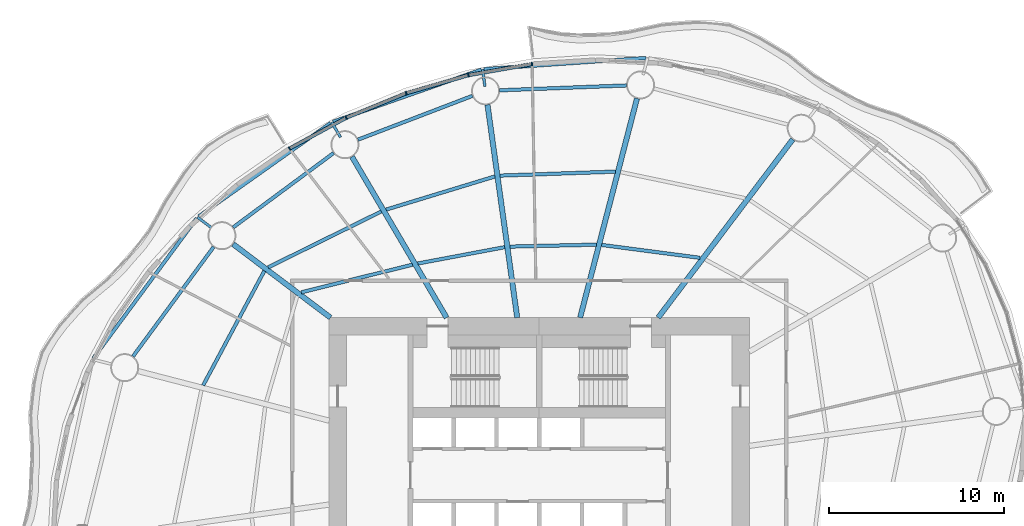
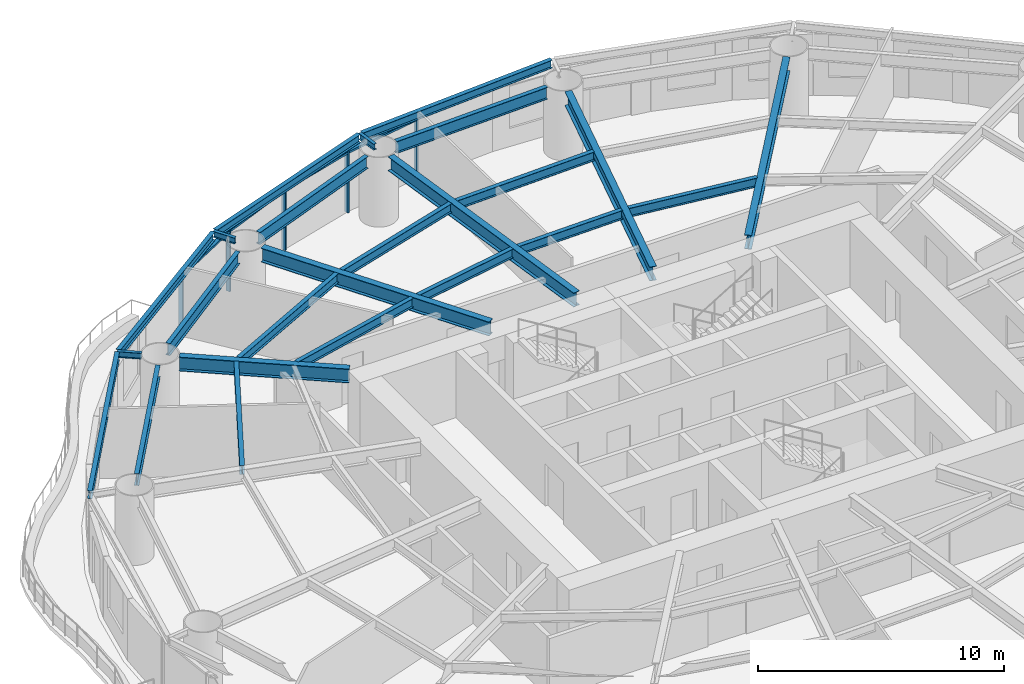
# One storey, part 5 of 16: 24 beams, 9 members, 4 elements without a shape of their own.
"""IFC4 building model written with IfcOpenShell, lengths in metres."""

from ifc_helpers import new_model, si_unit, direction, frame, origin, origin_2d, place, context, subcontext, project, spatial, rectangle, i_section, extrude, material, material_profile, profile_set, type_object, element, aggregate, save


model = new_model("IFC4")

# Units and contexts
model_context = context("Model", 3, precision=1e-05, world=origin(), true_north=direction((0.0, 1.0)))
body_context = subcontext(model_context, "Body", "Model", "MODEL_VIEW")
ifc_project = project(units=[si_unit("LENGTHUNIT", "METRE"), si_unit("AREAUNIT", "SQUARE_METRE"), si_unit("VOLUMEUNIT", "CUBIC_METRE"), si_unit("PLANEANGLEUNIT", "RADIAN"), si_unit("MASSUNIT", "GRAM", prefix="KILO")], contexts=[model_context])

# Site, building, storey
site_placement = place(None, origin())
site = spatial("IfcSite", under=ifc_project, at=site_placement, CompositionType="ELEMENT")
building_placement = place(site_placement, origin())
building = spatial("IfcBuilding", under=site, at=building_placement, Name="Vermilion Reach Broadcast Tower", CompositionType="ELEMENT")
storey_placement = place(building_placement, frame((0.0, 0.0, 110.199951171875)))
storey = spatial("IfcBuildingStorey", under=building, at=storey_placement, Name="L25", CompositionType="ELEMENT", Elevation=110.199951171875)

# Beams
ifc_material_1 = material(Name="Steel S355J2", Category="steel")
ifc_material_profile_1 = material_profile(ifc_material_1, i_section(OverallWidth=0.199951171875, OverallDepth=0.39990234375, WebThickness=0.008056640625, FlangeThickness=0.012939453125, at=origin_2d()), Name="S355J2 HN 400x200x8x13")
ifc_profile_set_1 = profile_set([ifc_material_profile_1], Name="Steel S355J2")
beam_type_1 = type_object("IfcBeamType", Name="EB2 HN 400x200x8x13", PredefinedType="BEAM", material=ifc_profile_set_1)
beam_1_placement = place(storey_placement, frame((0.1083984375, 23.833251953125, 3.25), z_axis=(-0.997645041067, -0.068588424936, 0.0), x_axis=(0.068588424936, -0.997645041067, 0.0)))
element("IfcBeam", 1, at=beam_1_placement, inside=storey, type_object=beam_type_1, Name="Edge beam EB2-03", PredefinedType="BEAM", context=body_context, shape_type="SweptSolid", body=[
    extrude(i_section(OverallWidth=0.199951171875, OverallDepth=0.39990234375, WebThickness=0.008056640625, FlangeThickness=0.012939453125, at=origin_2d()), origin(), (0.0, 0.0, 1.0), 9.2939453125),
])
beam_2_placement = place(storey_placement, frame((-9.310791015625, 23.165283203125, 3.25), z_axis=(-0.943404272903, -0.331644957551, 0.0), x_axis=(0.331644957551, -0.943404272903, 0.0)))
element("IfcBeam", 2, at=beam_2_placement, inside=storey, type_object=beam_type_1, Name="Edge beam EB2-04", PredefinedType="BEAM", context=body_context, shape_type="SweptSolid", body=[
    extrude(i_section(OverallWidth=0.199951171875, OverallDepth=0.39990234375, WebThickness=0.008056640625, FlangeThickness=0.012939453125, at=origin_2d()), origin(), (0.0, 0.0, 1.0), 8.97802734375),
])
beam_3_placement = place(storey_placement, frame((-17.914306640625, 20.118896484375, 3.25), z_axis=(-0.816232679245, -0.577723301704, 0.0), x_axis=(0.577723301704, -0.816232679245, 0.0)))
element("IfcBeam", 3, at=beam_3_placement, inside=storey, type_object=beam_type_1, Name="Edge beam EB2-05", PredefinedType="BEAM", context=body_context, shape_type="SweptSolid", body=[
    extrude(i_section(OverallWidth=0.199951171875, OverallDepth=0.39990234375, WebThickness=0.008056640625, FlangeThickness=0.012939453125, at=origin_2d()), origin(), (0.0, 0.0, 1.0), 9.239013671875),
])
beam_4_placement = place(storey_placement, frame((-25.564208984375, 14.675537109375, 3.25), z_axis=(-0.594274254035, -0.804262463995, 0.0), x_axis=(0.804262463995, -0.594274254035, 0.0)))
element("IfcBeam", 4, at=beam_4_placement, inside=storey, type_object=beam_type_1, Name="Edge beam EB2-06", PredefinedType="BEAM", context=body_context, shape_type="SweptSolid", body=[
    extrude(i_section(OverallWidth=0.199951171875, OverallDepth=0.39990234375, WebThickness=0.008056640625, FlangeThickness=0.012939453125, at=origin_2d()), origin(), (0.0, 0.0, 1.0), 9.932373046875),
])
ifc_material_2 = material(Name="Steel S355J2", Category="steel")
ifc_material_profile_2 = material_profile(ifc_material_2, i_section(OverallWidth=0.300048828125, OverallDepth=0.699951171875, WebThickness=0.012939453125, FlangeThickness=0.02392578125, at=origin_2d()), Name="S355J2 HN 700x300x13x24")
ifc_profile_set_2 = profile_set([ifc_material_profile_2], Name="Steel S355J2")
beam_type_2 = type_object("IfcBeamType", Name="G2 HN 700x300x13x24", PredefinedType="BEAM", material=ifc_profile_set_2)
beam_5_placement = place(storey_placement, frame((0.794189453125, 9.0, 3.10009765625), z_axis=(0.602519842365, 0.798103902733, 0.0), x_axis=(-0.798103902733, 0.602519842365, 0.0)))
element("IfcBeam", 5, at=beam_5_placement, inside=storey, type_object=beam_type_2, Name="Girder G2-02", PredefinedType="BEAM", context=body_context, shape_type="SweptSolid", body=[
    extrude(i_section(OverallWidth=0.300048828125, OverallDepth=0.699951171875, WebThickness=0.012939453125, FlangeThickness=0.02392578125, at=origin_2d()), origin(), (0.0, 0.0, 1.0), 12.758544921875),
])
beam_6_placement = place(storey_placement, frame((-3.6640625, 9.0, 3.10009765625), z_axis=(0.25121695316, 0.967930804575, 0.0), x_axis=(-0.967930804575, 0.25121695316, 0.0)))
element("IfcBeam", 6, at=beam_6_placement, inside=storey, type_object=beam_type_2, Name="Girder G2-03", PredefinedType="BEAM", context=body_context, shape_type="SweptSolid", body=[
    extrude(i_section(OverallWidth=0.300048828125, OverallDepth=0.699951171875, WebThickness=0.012939453125, FlangeThickness=0.02392578125, at=origin_2d()), origin(), (0.0, 0.0, 1.0), 12.93505859375),
])
beam_7_placement = place(storey_placement, frame((-7.2568359375, 9.0, 3.10009765625), z_axis=(-0.138317561234, 0.990387930184, 0.0), x_axis=(-0.990387930184, -0.138317561234, 0.0)))
element("IfcBeam", 7, at=beam_7_placement, inside=storey, type_object=beam_type_2, Name="Girder G2-04", PredefinedType="BEAM", context=body_context, shape_type="SweptSolid", body=[
    extrude(i_section(OverallWidth=0.300048828125, OverallDepth=0.699951171875, WebThickness=0.012939453125, FlangeThickness=0.02392578125, at=origin_2d()), origin(), (0.0, 0.0, 1.0), 12.281494140625),
])
beam_8_placement = place(storey_placement, frame((-11.290771484375, 9.0, 3.10009765625), z_axis=(-0.506783943634, 0.862073102744, 0.0), x_axis=(-0.862073102744, -0.506783943634, 0.0)))
element("IfcBeam", 8, at=beam_8_placement, inside=storey, type_object=beam_type_2, Name="Girder G2-05", PredefinedType="BEAM", context=body_context, shape_type="SweptSolid", body=[
    extrude(i_section(OverallWidth=0.300048828125, OverallDepth=0.699951171875, WebThickness=0.012939453125, FlangeThickness=0.02392578125, at=origin_2d()), origin(), (0.0, 0.0, 1.0), 10.661865234375),
])
beam_9_placement = place(storey_placement, frame((-17.921630859375, 9.0, 3.10009765625), z_axis=(-0.798113534072, 0.602507084382, 0.0), x_axis=(-0.602507084382, -0.798113534072, 0.0)))
element("IfcBeam", 9, at=beam_9_placement, inside=storey, type_object=beam_type_2, Name="Girder G2-06", PredefinedType="BEAM", context=body_context, shape_type="SweptSolid", body=[
    extrude(i_section(OverallWidth=0.300048828125, OverallDepth=0.699951171875, WebThickness=0.012939453125, FlangeThickness=0.02392578125, at=origin_2d()), origin(), (0.0, 0.0, 1.0), 6.971923828125),
])
ifc_material_3 = material(Name="Steel S355J2", Category="steel")
ifc_material_profile_3 = material_profile(ifc_material_3, i_section(OverallWidth=0.14990234375, OverallDepth=0.300048828125, WebThickness=0.006591796875, FlangeThickness=0.009033203125, at=origin_2d()), Name="S355J2 HN 300x150x6.5x9")
ifc_profile_set_3 = profile_set([ifc_material_profile_3], Name="Steel S355J2")
beam_type_3 = type_object("IfcBeamType", Name="GS2 HN 300x150x6.5x9", PredefinedType="BEAM", material=ifc_profile_set_3)
beam_10_placement = place(storey_placement, frame((-9.100341796875, 22.2001953125, 3.300048828125), z_axis=(-0.138207172315, 0.990403340827, 0.0), x_axis=(-0.990403340827, -0.138207172315, 0.0)))
element("IfcBeam", 10, at=beam_10_placement, inside=storey, type_object=beam_type_3, Name="Cantilever stub GS2-04", PredefinedType="BEAM", context=body_context, shape_type="SweptSolid", body=[
    extrude(i_section(OverallWidth=0.14990234375, OverallDepth=0.300048828125, WebThickness=0.006591796875, FlangeThickness=0.009033203125, at=origin_2d()), origin(), (0.0, 0.0, 1.0), 0.999755859375),
])
for number, where, z_axis, x_axis, name in (
    (11, (-17.34619140625, 19.30029296875, 3.300048828125), (-0.506646610102, 0.862153821816, 0.0), (-0.862153821816, -0.506646610102, 0.0), "Cantilever stub GS2-05"),
    (12, (-24.7216796875, 14.13330078125, 3.300048828125), (-0.798091683473, 0.602536027779, 0.0), (-0.602536027779, -0.798091683473, 0.0), "Cantilever stub GS2-06"),
):
    element("IfcBeam", number, at=place(storey_placement, frame(where, z_axis=z_axis, x_axis=x_axis)), inside=storey, type_object=beam_type_3, Name=name, PredefinedType="BEAM", context=body_context, shape_type="SweptSolid", body=[
        extrude(i_section(OverallWidth=0.14990234375, OverallDepth=0.300048828125, WebThickness=0.006591796875, FlangeThickness=0.009033203125, at=origin_2d()), origin(), (0.0, 0.0, 1.0), 1.0),
    ])
ifc_material_4 = material(Name="Steel S355J2", Category="steel")
ifc_material_profile_4 = material_profile(ifc_material_4, i_section(OverallWidth=0.199951171875, OverallDepth=0.60009765625, WebThickness=0.010986328125, FlangeThickness=0.01708984375, at=origin_2d()), Name="S355J2 HN 600x200x11x17")
ifc_profile_set_4 = profile_set([ifc_material_profile_4], Name="Steel S355J2")
beam_type_4 = type_object("IfcBeamType", Name="RB2 HN 600x200x11x17", PredefinedType="BEAM", material=ifc_profile_set_4)
beam_11_placement = place(storey_placement, frame((-1.012939453125, 22.263916015625, 3.150146484375), z_axis=(-0.999268558327, -0.038240663418, 0.0), x_axis=(0.038240663418, -0.999268558327, 0.0)))
element("IfcBeam", 13, at=beam_11_placement, inside=storey, type_object=beam_type_4, Name="Ring beam RB2-03", PredefinedType="BEAM", context=body_context, shape_type="SweptSolid", body=[
    extrude(i_section(OverallWidth=0.199951171875, OverallDepth=0.60009765625, WebThickness=0.010986328125, FlangeThickness=0.01708984375, at=origin_2d()), origin(), (0.0, 0.0, 1.0), 7.259033203125),
])
beam_12_placement = place(storey_placement, frame((-9.813232421875, 21.669677734375, 3.150146484375), z_axis=(-0.933939237212, -0.357431813353, 0.0), x_axis=(0.357431813353, -0.933939237212, 0.0)))
element("IfcBeam", 14, at=beam_12_placement, inside=storey, type_object=beam_type_4, Name="Ring beam RB2-04", PredefinedType="BEAM", context=body_context, shape_type="SweptSolid", body=[
    extrude(i_section(OverallWidth=0.199951171875, OverallDepth=0.60009765625, WebThickness=0.010986328125, FlangeThickness=0.01708984375, at=origin_2d()), origin(), (0.0, 0.0, 1.0), 7.001953125),
])
beam_13_placement = place(storey_placement, frame((-17.74267578125, 18.4052734375, 3.150146484375), z_axis=(-0.803832742218, -0.594855379515, 0.0), x_axis=(0.594855379515, -0.803832742218, 0.0)))
element("IfcBeam", 15, at=beam_13_placement, inside=storey, type_object=beam_type_4, Name="Ring beam RB2-05", PredefinedType="BEAM", context=body_context, shape_type="SweptSolid", body=[
    extrude(i_section(OverallWidth=0.199951171875, OverallDepth=0.60009765625, WebThickness=0.010986328125, FlangeThickness=0.01708984375, at=origin_2d()), origin(), (0.0, 0.0, 1.0), 7.13916015625),
])
beam_14_placement = place(storey_placement, frame((-24.59912109375, 13.03857421875, 3.150146484375), z_axis=(-0.593250534798, -0.80501788984, 0.0), x_axis=(0.80501788984, -0.593250534798, 0.0)))
element("IfcBeam", 16, at=beam_14_placement, inside=storey, type_object=beam_type_4, Name="Ring beam RB2-06", PredefinedType="BEAM", context=body_context, shape_type="SweptSolid", body=[
    extrude(i_section(OverallWidth=0.199951171875, OverallDepth=0.60009765625, WebThickness=0.010986328125, FlangeThickness=0.01708984375, at=origin_2d()), origin(), (0.0, 0.0, 1.0), 7.76220703125),
])
ifc_material_5 = material(Name="Steel S355J2", Category="steel")
ifc_material_profile_5 = material_profile(ifc_material_5, i_section(OverallWidth=0.199951171875, OverallDepth=0.449951171875, WebThickness=0.009033203125, FlangeThickness=0.013916015625, at=origin_2d()), Name="S355J2 HN 450x200x9x14")
ifc_profile_set_5 = profile_set([ifc_material_profile_5], Name="Steel S355J2")
beam_type_5 = type_object("IfcBeamType", Name="SB2 HN 450x200x9x14", PredefinedType="BEAM", material=ifc_profile_set_5)
beam_15_placement = place(storey_placement, frame((3.185546875, 12.416748046875, 3.22509765625), z_axis=(-0.991498686864, 0.130116693573, 0.0), x_axis=(-0.130116693573, -0.991498686864, 0.0)))
element("IfcBeam", 17, at=beam_15_placement, inside=storey, type_object=beam_type_5, Name="Secondary beam SB2-02-1", PredefinedType="BEAM", context=body_context, shape_type="SweptSolid", body=[
    extrude(i_section(OverallWidth=0.199951171875, OverallDepth=0.449951171875, WebThickness=0.009033203125, FlangeThickness=0.013916015625, at=origin_2d()), origin(), (0.0, 0.0, 1.0), 5.66455078125),
])
beam_16_placement = place(storey_placement, frame((-2.73681640625, 13.169921875, 3.22509765625), z_axis=(-0.999742320425, -0.022700060602, 0.0), x_axis=(0.022700060602, -0.999742320425, 0.0)))
element("IfcBeam", 18, at=beam_16_placement, inside=storey, type_object=beam_type_5, Name="Secondary beam SB2-03-1", PredefinedType="BEAM", context=body_context, shape_type="SweptSolid", body=[
    extrude(i_section(OverallWidth=0.199951171875, OverallDepth=0.449951171875, WebThickness=0.009033203125, FlangeThickness=0.013916015625, at=origin_2d()), origin(), (0.0, 0.0, 1.0), 4.9365234375),
])
beam_17_placement = place(storey_placement, frame((-1.654052734375, 17.34130859375, 3.22509765625), z_axis=(-0.999404722387, -0.03449928797, 0.0), x_axis=(0.03449928797, -0.999404722387, 0.0)))
element("IfcBeam", 19, at=beam_17_placement, inside=storey, type_object=beam_type_5, Name="Secondary beam SB2-03-2", PredefinedType="BEAM", context=body_context, shape_type="SweptSolid", body=[
    extrude(i_section(OverallWidth=0.199951171875, OverallDepth=0.449951171875, WebThickness=0.009033203125, FlangeThickness=0.013916015625, at=origin_2d()), origin(), (0.0, 0.0, 1.0), 6.58837890625),
])
beam_18_placement = place(storey_placement, frame((-7.970703125, 13.026611328125, 3.22509765625), z_axis=(-0.982782890015, -0.184764149915, 0.0), x_axis=(0.184764149915, -0.982782890015, 0.0)))
element("IfcBeam", 20, at=beam_18_placement, inside=storey, type_object=beam_type_5, Name="Secondary beam SB2-04-1", PredefinedType="BEAM", context=body_context, shape_type="SweptSolid", body=[
    extrude(i_section(OverallWidth=0.199951171875, OverallDepth=0.449951171875, WebThickness=0.009033203125, FlangeThickness=0.013916015625, at=origin_2d()), origin(), (0.0, 0.0, 1.0), 5.051513671875),
])
beam_19_placement = place(storey_placement, frame((-8.53466796875, 17.064697265625, 3.22509765625), z_axis=(-0.956596430605, -0.291415972374, 0.0), x_axis=(0.291415972374, -0.956596430605, 0.0)))
element("IfcBeam", 21, at=beam_19_placement, inside=storey, type_object=beam_type_5, Name="Secondary beam SB2-04-2", PredefinedType="BEAM", context=body_context, shape_type="SweptSolid", body=[
    extrude(i_section(OverallWidth=0.199951171875, OverallDepth=0.449951171875, WebThickness=0.009033203125, FlangeThickness=0.013916015625, at=origin_2d()), origin(), (0.0, 0.0, 1.0), 6.49267578125),
])
beam_20_placement = place(storey_placement, frame((-13.24365234375, 12.026123046875, 3.22509765625), z_axis=(-0.970396717612, -0.241516480695, 0.0), x_axis=(0.241516480695, -0.970396717612, 0.0)))
element("IfcBeam", 22, at=beam_20_placement, inside=storey, type_object=beam_type_5, Name="Secondary beam SB2-05-1", PredefinedType="BEAM", context=body_context, shape_type="SweptSolid", body=[
    extrude(i_section(OverallWidth=0.199951171875, OverallDepth=0.449951171875, WebThickness=0.009033203125, FlangeThickness=0.013916015625, at=origin_2d()), origin(), (0.0, 0.0, 1.0), 6.539306640625),
])
beam_21_placement = place(storey_placement, frame((-15.02783203125, 15.06103515625, 3.22509765625), z_axis=(-0.896648255868, -0.442743611189, 0.0), x_axis=(0.442743611189, -0.896648255868, 0.0)))
element("IfcBeam", 23, at=beam_21_placement, inside=storey, type_object=beam_type_5, Name="Secondary beam SB2-05-2", PredefinedType="BEAM", context=body_context, shape_type="SweptSolid", body=[
    extrude(i_section(OverallWidth=0.199951171875, OverallDepth=0.449951171875, WebThickness=0.009033203125, FlangeThickness=0.013916015625, at=origin_2d()), origin(), (0.0, 0.0, 1.0), 7.19677734375),
])
beam_22_placement = place(storey_placement, frame((-21.702880859375, 11.66650390625, 3.22509765625), z_axis=(-0.471821551693, -0.881694064491, 0.0), x_axis=(0.881694064491, -0.471821551693, 0.0)))
element("IfcBeam", 24, at=beam_22_placement, inside=storey, type_object=beam_type_5, Name="Secondary beam SB2-06-2", PredefinedType="BEAM", context=body_context, shape_type="SweptSolid", body=[
    extrude(i_section(OverallWidth=0.199951171875, OverallDepth=0.449951171875, WebThickness=0.009033203125, FlangeThickness=0.013916015625, at=origin_2d()), origin(), (0.0, 0.0, 1.0), 7.405029296875),
])

# Curtain wall, member
ifc_material_6 = material(Name="Low-e laminated clear glass in aluminium frame", Category="aluminium")
curtain_wall_type = type_object("IfcCurtainWallType", Name="Slot curtain wall", PredefinedType="NOTDEFINED", material=ifc_material_6)
placement = place(storey_placement, origin())
curtain_wall_1 = element("IfcCurtainWall", 25, at=placement, inside=storey, type_object=curtain_wall_type, Name="Slot curtain wall L25 10", PredefinedType="NOTDEFINED")
ifc_material_7 = material(Name="Anodised aluminium", Category="aluminium")
ifc_material_profile_6 = material_profile(ifc_material_7, rectangle(XDim=0.199951171875, YDim=0.080078125, at=origin_2d()), Name="Slot mullion 80 x 200")
ifc_profile_set_6 = profile_set([ifc_material_profile_6], Name="Anodised aluminium")
member_type_1 = type_object("IfcMemberType", Name="Slot mullion 80 x 200", PredefinedType="MULLION", material=ifc_profile_set_6)
member_1_placement = place(storey_placement, frame((-6.41796875, 23.485107421875, 0.0), z_axis=(0.0, 0.0, 1.0), x_axis=(0.118386600337, -0.992967578957, 0.0)))
member_1 = element("IfcMember", 26, at=member_1_placement, type_object=member_type_1, Name="Slot mullion L25 10", PredefinedType="MULLION", context=body_context, shape_type="SweptSolid", body=[
    extrude(rectangle(XDim=0.199951171875, YDim=0.080078125, at=origin_2d()), origin(), (0.0, 0.0, 1.0), 3.050048828125),
])

curtain_wall_2 = element("IfcCurtainWall", 27, at=placement, inside=storey, type_object=curtain_wall_type, Name="Slot curtain wall L25 11", PredefinedType="NOTDEFINED")
member_2_placement = place(storey_placement, frame((-10.043212890625, 22.849609375, 0.0), z_axis=(0.0, 0.0, 1.0), x_axis=(0.225530348008, -0.974236142897, 0.0)))
member_2 = element("IfcMember", 28, at=member_2_placement, type_object=member_type_1, Name="Slot mullion L25 11", PredefinedType="MULLION", context=body_context, shape_type="SweptSolid", body=[
    extrude(rectangle(XDim=0.199951171875, YDim=0.080078125, at=origin_2d()), origin(), (0.0, 0.0, 1.0), 3.050048828125),
])

curtain_wall_3 = element("IfcCurtainWall", 29, at=placement, inside=storey, type_object=curtain_wall_type, Name="Slot curtain wall L25 12", PredefinedType="NOTDEFINED")
member_3_placement = place(storey_placement, frame((-13.59912109375, 21.821533203125, 0.0), z_axis=(0.0, 0.0, 1.0), x_axis=(0.328866642832, -0.944376371598, 0.0)))
member_3 = element("IfcMember", 30, at=member_3_placement, type_object=member_type_1, Name="Slot mullion L25 12", PredefinedType="MULLION", context=body_context, shape_type="SweptSolid", body=[
    extrude(rectangle(XDim=0.199951171875, YDim=0.080078125, at=origin_2d()), origin(), (0.0, 0.0, 1.0), 3.050048828125),
])

# Curtain wall, members
curtain_wall_4 = element("IfcCurtainWall", 31, at=placement, inside=storey, type_object=curtain_wall_type, Name="Slot curtain wall L25 13", PredefinedType="NOTDEFINED")
member_4_placement = place(storey_placement, frame((-17.0244140625, 20.41845703125, 0.0), z_axis=(0.0, 0.0, 1.0), x_axis=(0.428397948063, -0.903590171536, 0.0)))
member_4 = element("IfcMember", 32, at=member_4_placement, type_object=member_type_1, Name="Slot mullion L25 13", PredefinedType="MULLION", context=body_context, shape_type="SweptSolid", body=[
    extrude(rectangle(XDim=0.199951171875, YDim=0.080078125, at=origin_2d()), origin(), (0.0, 0.0, 1.0), 3.050048828125),
])
member_5_placement = place(storey_placement, frame((-20.260009765625, 18.664794921875, 0.0), z_axis=(0.0, 0.0, 1.0), x_axis=(0.524000831653, -0.851717751621, 0.0)))
member_5 = element("IfcMember", 33, at=member_5_placement, type_object=member_type_1, Name="Slot mullion L25 14", PredefinedType="MULLION", context=body_context, shape_type="SweptSolid", body=[
    extrude(rectangle(XDim=0.199951171875, YDim=0.080078125, at=origin_2d()), origin(), (0.0, 0.0, 1.0), 3.050048828125),
])

# Member
ifc_material_8 = material(Name="Anodised aluminium", Category="aluminium")
ifc_material_profile_7 = material_profile(ifc_material_8, rectangle(XDim=0.199951171875, YDim=0.10009765625, at=origin_2d()), Name="Slot transom 200 x 100")
ifc_profile_set_7 = profile_set([ifc_material_profile_7], Name="Anodised aluminium")
member_type_2 = type_object("IfcMemberType", Name="Slot transom 200 x 100", PredefinedType="USERDEFINED", material=ifc_profile_set_7)
member_6_placement = place(storey_placement, frame((-6.45751953125, 23.47802734375, 3.0), z_axis=(-0.984982931919, -0.172651741457, 0.0), x_axis=(0.172651741457, -0.984982931919, 0.0)))
member_6 = element("IfcMember", 34, at=member_6_placement, type_object=member_type_2, Name="Slot transom L25 10.1", ObjectType="TRANSOM", PredefinedType="USERDEFINED", context=body_context, shape_type="SweptSolid", body=[
    extrude(rectangle(XDim=0.199951171875, YDim=0.10009765625, at=origin_2d()), origin(), (0.0, 0.0, 1.0), 3.60009765625),
])

aggregate(curtain_wall_1, [member_1, member_6])

member_7_placement = place(storey_placement, frame((-10.08154296875, 22.83837890625, 3.0), z_axis=(-0.96065424343, -0.277747051434, 0.0), x_axis=(0.277747051434, -0.96065424343, 0.0)))
member_7 = element("IfcMember", 35, at=member_7_placement, type_object=member_type_2, Name="Slot transom L25 11.1", ObjectType="TRANSOM", PredefinedType="USERDEFINED", context=body_context, shape_type="SweptSolid", body=[
    extrude(rectangle(XDim=0.199951171875, YDim=0.10009765625, at=origin_2d()), origin(), (0.0, 0.0, 1.0), 3.62158203125),
])

aggregate(curtain_wall_2, [member_2, member_7])

member_8_placement = place(storey_placement, frame((-13.635986328125, 21.806396484375, 3.0), z_axis=(-0.925371823356, -0.37906066604, 0.0), x_axis=(0.37906066604, -0.925371823356, 0.0)))
member_8 = element("IfcMember", 36, at=member_8_placement, type_object=member_type_2, Name="Slot transom L25 12.1", ObjectType="TRANSOM", PredefinedType="USERDEFINED", context=body_context, shape_type="SweptSolid", body=[
    extrude(rectangle(XDim=0.199951171875, YDim=0.10009765625, at=origin_2d()), origin(), (0.0, 0.0, 1.0), 3.62158203125),
])

aggregate(curtain_wall_3, [member_3, member_8])

member_9_placement = place(storey_placement, frame((-17.0595703125, 20.3994140625, 3.0), z_axis=(-0.879170059929, -0.476508138151, 0.0), x_axis=(0.476508138151, -0.879170059929, 0.0)))
member_9 = element("IfcMember", 37, at=member_9_placement, type_object=member_type_2, Name="Slot transom L25 13.1", ObjectType="TRANSOM", PredefinedType="USERDEFINED", context=body_context, shape_type="SweptSolid", body=[
    extrude(rectangle(XDim=0.199951171875, YDim=0.10009765625, at=origin_2d()), origin(), (0.0, 0.0, 1.0), 3.600341796875),
])

aggregate(curtain_wall_4, [member_4, member_5, member_9])

save(model, "model.ifc")
